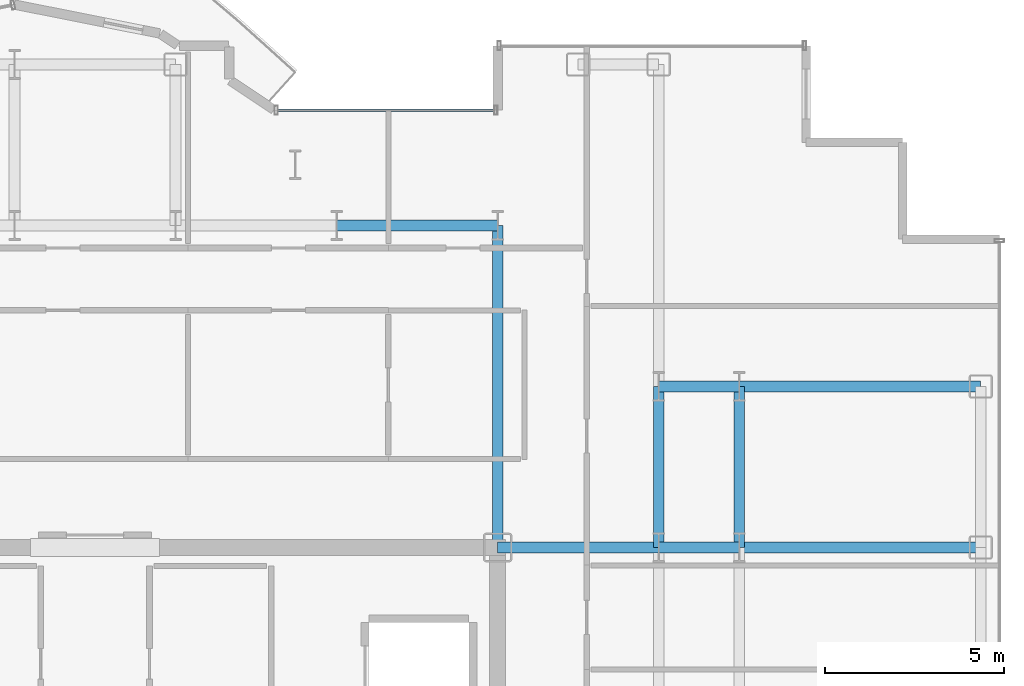
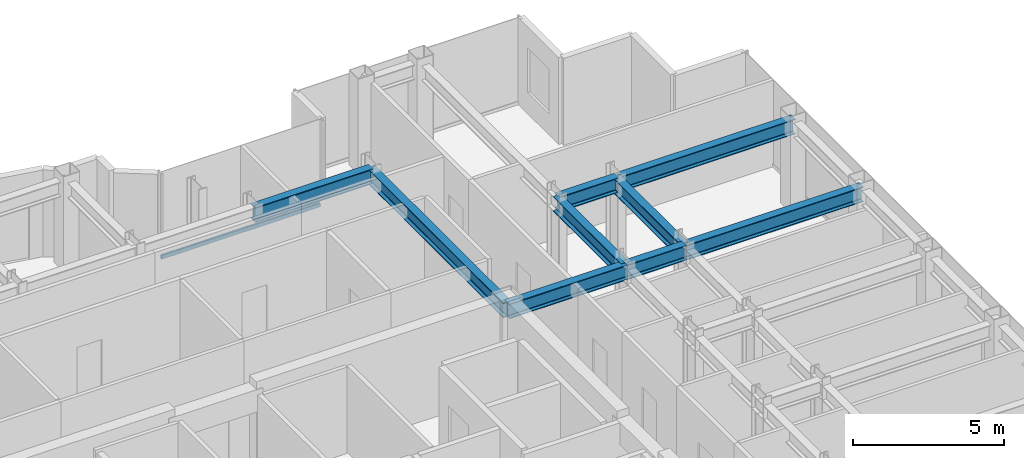
# One storey, part 11 of 21: 9 beams, 1 member, 1 element without a shape of its own.
"""IFC4 building model written with IfcOpenShell, lengths in metres."""

from ifc_helpers import new_model, si_unit, direction, frame, origin, origin_2d, place, context, subcontext, project, spatial, hollow_rectangle, i_section, extrude, source, transform, mapped, material, layer, layer_set, material_profile, profile_set, type_object, element, aggregate, save


model = new_model("IFC4")

# Units and contexts
model_context = context("Model", 3, precision=1e-05, world=origin(), true_north=direction((0.0, 1.0)))
body_context = subcontext(model_context, "Body", "Model", "MODEL_VIEW")
ifc_project = project(units=[si_unit("LENGTHUNIT", "METRE"), si_unit("AREAUNIT", "SQUARE_METRE"), si_unit("VOLUMEUNIT", "CUBIC_METRE"), si_unit("PLANEANGLEUNIT", "RADIAN"), si_unit("MASSUNIT", "GRAM", prefix="KILO")], contexts=[model_context])

# Site, building, storey
site_placement = place(None, origin())
site = spatial("IfcSite", under=ifc_project, at=site_placement, CompositionType="ELEMENT")
building_placement = place(site_placement, origin())
building = spatial("IfcBuilding", under=site, at=building_placement, Name="Nefas-Gora Pilgrimage Tower", CompositionType="ELEMENT")
storey_placement = place(building_placement, frame((0.0, 0.0, 256.0)))
storey = spatial("IfcBuildingStorey", under=building, at=storey_placement, Name="L64", CompositionType="ELEMENT", Elevation=256.0)

# Beams
ifc_material_1 = material(Name="Steel S355", Category="steel")
ifc_material_profile_1 = material_profile(ifc_material_1, i_section(OverallWidth=0.300048828125, OverallDepth=0.60009765625, WebThickness=0.015380859375, FlangeThickness=0.030029296875, FilletRadius=0.027099609375, at=origin_2d()), Name="HEB 600")
ifc_profile_set_1 = profile_set([ifc_material_profile_1], Name="Steel S355")
beam_type = type_object("IfcBeamType", Name="BM-GIR-HEB600", PredefinedType="BEAM", material=ifc_profile_set_1)
shared_shape_1 = source(origin(), body_context, "Body", "SweptSolid", [
    extrude(i_section(OverallWidth=0.300048828125, OverallDepth=0.60009765625, WebThickness=0.015380859375, FlangeThickness=0.030029296875, FilletRadius=0.027099609375, at=origin_2d()), origin(), (0.0, 0.0, 1.0), 9.0),
])
beam_placement = place(storey_placement, frame((11.25, 9.0, 3.199951171875), z_axis=(0.0, 1.0, 0.0), x_axis=(-1.0, 0.0, 0.0)))
element("IfcBeam", 1, at=beam_placement, inside=storey, type_object=beam_type, Name="L64 G-04 beam", PredefinedType="BEAM", context=body_context, shape_type="MappedRepresentation", body=[
    mapped(shared_shape_1, transform((0.0, 0.0, 0.0), x_axis=(1.0, 0.0, 0.0), y_axis=(0.0, 1.0, 0.0), z_axis=(0.0, 0.0, 1.0), scale=1.0)),
])
shared_shape_2 = source(origin(), body_context, "Body", "SweptSolid", [
    extrude(i_section(OverallWidth=0.300048828125, OverallDepth=0.60009765625, WebThickness=0.015380859375, FlangeThickness=0.030029296875, FilletRadius=0.027099609375, at=origin_2d()), origin(), (0.0, 0.0, 1.0), 4.5),
])
for number, where, z_axis, x_axis, name in (
    (2, (6.75, 18.0, 3.199951171875), (1.0, 0.0, 0.0), (0.0, 1.0, 0.0), "L64 G-04 beam"),
    (3, (11.25, 9.0, 3.199951171875), (1.0, 0.0, 0.0), (0.0, 1.0, 0.0), "L64 G-04 beam"),
    (4, (15.75, 9.0, 3.199951171875), (0.0, 1.0, 0.0), (-1.0, 0.0, 0.0), "L64 G-04 beam"),
    (5, (18.0, 9.0, 3.199951171875), (0.0, 1.0, 0.0), (-1.0, 0.0, 0.0), "L64 G-04 beam"),
):
    element("IfcBeam", number, at=place(storey_placement, frame(where, z_axis=z_axis, x_axis=x_axis)), inside=storey, type_object=beam_type, Name=name, PredefinedType="BEAM", context=body_context, shape_type="MappedRepresentation", body=[
        mapped(shared_shape_2, transform((0.0, 0.0, 0.0), x_axis=(1.0, 0.0, 0.0), y_axis=(0.0, 1.0, 0.0), z_axis=(0.0, 0.0, 1.0), scale=1.0)),
    ])
shared_shape_3 = source(origin(), body_context, "Body", "SweptSolid", [
    extrude(i_section(OverallWidth=0.300048828125, OverallDepth=0.60009765625, WebThickness=0.015380859375, FlangeThickness=0.030029296875, FilletRadius=0.027099609375, at=origin_2d()), origin(), (0.0, 0.0, 1.0), 6.75),
])
for number, where, z_axis, x_axis, name in (
    (6, (18.0, 9.0, 3.199951171875), (1.0, 0.0, 0.0), (0.0, 1.0, 0.0), "L64 G-04 beam"),
    (7, (18.0, 13.5, 3.199951171875), (1.0, 0.0, 0.0), (0.0, 1.0, 0.0), "L64 G-04 beam"),
):
    element("IfcBeam", number, at=place(storey_placement, frame(where, z_axis=z_axis, x_axis=x_axis)), inside=storey, type_object=beam_type, Name=name, PredefinedType="BEAM", context=body_context, shape_type="MappedRepresentation", body=[
        mapped(shared_shape_3, transform((0.0, 0.0, 0.0), x_axis=(1.0, 0.0, 0.0), y_axis=(0.0, 1.0, 0.0), z_axis=(0.0, 0.0, 1.0), scale=1.0)),
    ])
shared_shape_4 = source(origin(), body_context, "Body", "SweptSolid", [
    extrude(i_section(OverallWidth=0.300048828125, OverallDepth=0.60009765625, WebThickness=0.015380859375, FlangeThickness=0.030029296875, FilletRadius=0.027099609375, at=origin_2d()), origin(), (0.0, 0.0, 1.0), 2.25),
])
for number, where, z_axis, x_axis, name in (
    (8, (15.75, 9.0, 3.199951171875), (1.0, 0.0, 0.0), (0.0, 1.0, 0.0), "L64 G-04 beam"),
    (9, (15.75, 13.5, 3.199951171875), (1.0, 0.0, 0.0), (0.0, 1.0, 0.0), "L64 G-04 beam"),
):
    element("IfcBeam", number, at=place(storey_placement, frame(where, z_axis=z_axis, x_axis=x_axis)), inside=storey, type_object=beam_type, Name=name, PredefinedType="BEAM", context=body_context, shape_type="MappedRepresentation", body=[
        mapped(shared_shape_4, transform((0.0, 0.0, 0.0), x_axis=(1.0, 0.0, 0.0), y_axis=(0.0, 1.0, 0.0), z_axis=(0.0, 0.0, 1.0), scale=1.0)),
    ])

# Curtain wall, member
ifc_material_2 = material(Name="Dark ceramic-fritted solar-control aluminium-glass curtain wall", Category="aluminium")
ifc_layer = layer(ifc_material_2, 0.219970703125)
ifc_layer_set = layer_set([ifc_layer], Name="Dark ceramic-fritted solar-control aluminium-glass curtain wall")
curtain_wall_type = type_object("IfcCurtainWallType", Name="CW-SYS-5", PredefinedType="NOTDEFINED", material=ifc_layer_set)
curtain_wall_placement = place(storey_placement, origin())
curtain_wall = element("IfcCurtainWall", 10, at=curtain_wall_placement, inside=storey, type_object=curtain_wall_type, Name="L64 Unitised Curtain Wall CW5", PredefinedType="NOTDEFINED")
ifc_material_3 = material(Name="Anodised architectural aluminium", Category="aluminium")
ifc_material_profile_2 = material_profile(ifc_material_3, hollow_rectangle(XDim=0.080078125, YDim=0.159912109375, WallThickness=0.00439453125, InnerFilletRadius=0.00439453125, OuterFilletRadius=0.009033203125, at=origin_2d()), Name="ALU TRANSOM 80x160")
ifc_profile_set_2 = profile_set([ifc_material_profile_2], Name="Anodised architectural aluminium")
member_type = type_object("IfcMemberType", Name="CWM-TRN-5", PredefinedType="USERDEFINED", material=ifc_profile_set_2)
shared_shape_5 = source(origin(), body_context, "Body", "SweptSolid", [
    extrude(hollow_rectangle(XDim=0.080078125, YDim=0.159912109375, WallThickness=0.00439453125, InnerFilletRadius=0.00439453125, OuterFilletRadius=0.009033203125, at=origin_2d()), origin(), (0.0, 0.0, 1.0), 6.052001953125),
])
member_placement = place(storey_placement, frame((11.159912109375, 21.219970703125, 0.050048828125), z_axis=(-1.0, 0.0, 0.0), x_axis=(0.0, -1.0, 0.0)))
member = element("IfcMember", 11, at=member_placement, type_object=member_type, Name="CW5 Spandrel Transom", ObjectType="TRANSOM", PredefinedType="USERDEFINED", context=body_context, shape_type="MappedRepresentation", body=[
    mapped(shared_shape_5, transform((0.0, 0.0, 0.0), x_axis=(1.0, 0.0, 0.0), y_axis=(0.0, 1.0, 0.0), z_axis=(0.0, 0.0, 1.0), scale=1.0)),
])
aggregate(curtain_wall, [member])

save(model, "model.ifc")
